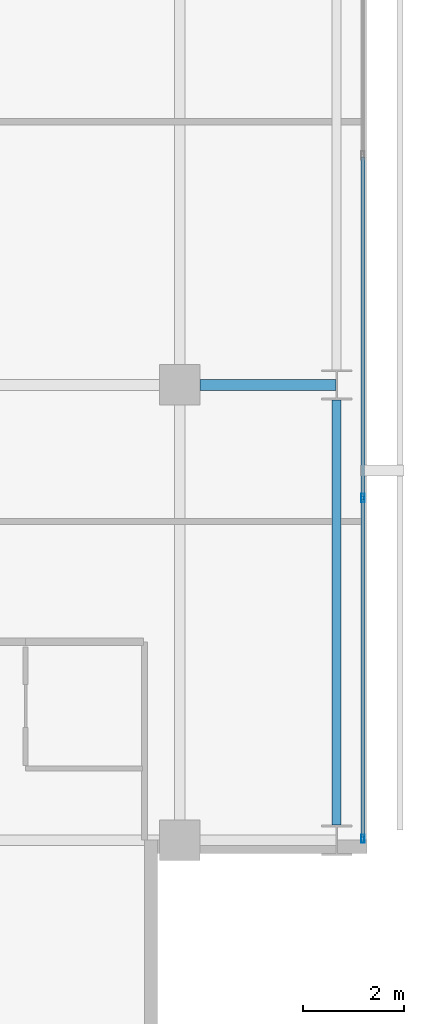
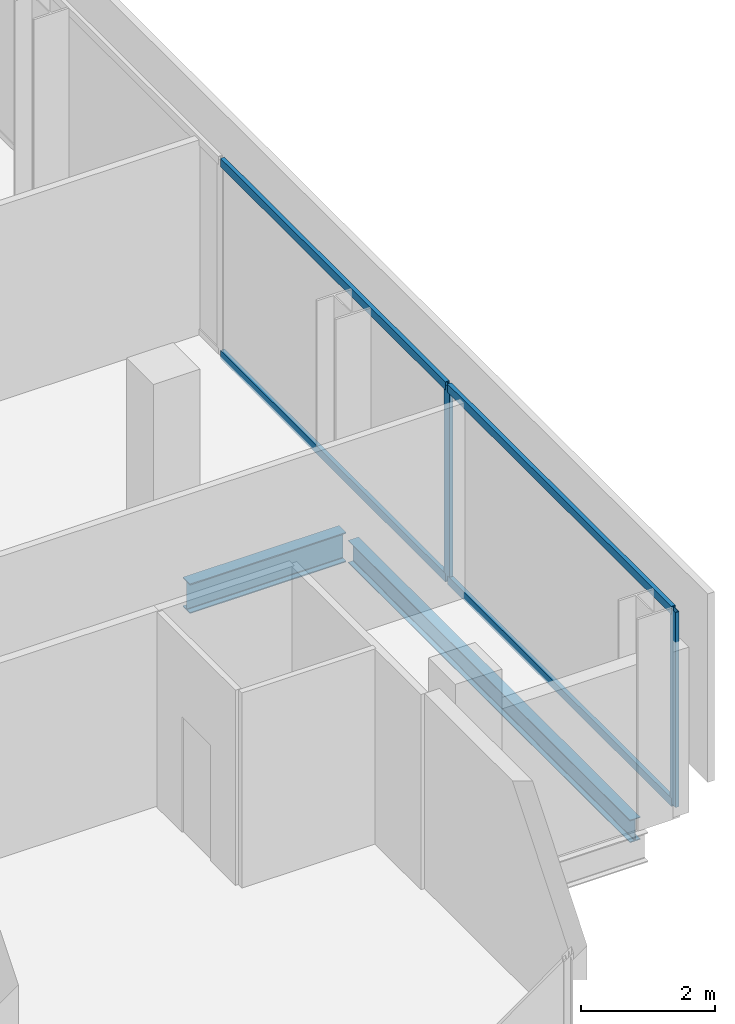
# One storey, part 15 of 32: 6 members, 2 beams, 1 element without a shape of its own.
"""IFC4 building model written with IfcOpenShell, lengths in metres."""

from ifc_helpers import new_model, si_unit, direction, frame, origin, origin_2d, place, context, subcontext, project, spatial, hollow_rectangle, i_section, extrude, material, layer, layer_set, material_profile, profile_set, type_object, element, aggregate, save


model = new_model("IFC4")

# Units and contexts
model_context = context("Model", 3, precision=1e-05, world=origin(), true_north=direction((0.0, 1.0)))
body_context = subcontext(model_context, "Body", "Model", "MODEL_VIEW")
ifc_project = project(units=[si_unit("LENGTHUNIT", "METRE"), si_unit("AREAUNIT", "SQUARE_METRE"), si_unit("VOLUMEUNIT", "CUBIC_METRE"), si_unit("PLANEANGLEUNIT", "RADIAN"), si_unit("MASSUNIT", "GRAM", prefix="KILO")], contexts=[model_context])

# Site, building, storey
site_placement = place(None, origin())
site = spatial("IfcSite", under=ifc_project, at=site_placement, CompositionType="ELEMENT")
building_placement = place(site_placement, origin())
building = spatial("IfcBuilding", under=site, at=building_placement, Name="Maruvema Waterfront Hotel and Observation Tower", CompositionType="ELEMENT")
storey_placement = place(building_placement, frame((0.0, 0.0, 223.64990234375)))
storey = spatial("IfcBuildingStorey", under=building, at=storey_placement, Name="L55", CompositionType="ELEMENT", Elevation=223.64990234375)

# Curtain wall, members
ifc_material_1 = material(Name="Anodised bronze aluminium and solar-control low-E IGU", Category="aluminium")
ifc_layer = layer(ifc_material_1, 0.159912109375, Name="Zone 2 Amber Inner Thermal Curtain Wall System CW-03")
ifc_layer_set = layer_set([ifc_layer], Name="Anodised bronze aluminium and solar-control low-E IGU")
curtain_wall_type = type_object("IfcCurtainWallType", Name="Zone 2 Amber Inner Thermal Curtain Wall System CW-03", PredefinedType="USERDEFINED", material=ifc_layer_set)
curtain_wall_placement = place(storey_placement, origin())
curtain_wall = element("IfcCurtainWall", 1, at=curtain_wall_placement, inside=storey, type_object=curtain_wall_type, Name="L55 Curtain Wall CW-L55-E", ObjectType="UNITISED CURTAIN WALL", PredefinedType="USERDEFINED")
ifc_material_2 = material(Name="Anodised architectural bronze aluminium", Category="aluminium")
ifc_material_profile_1 = material_profile(ifc_material_2, hollow_rectangle(XDim=0.070068359375, YDim=0.14990234375, WallThickness=0.00390625, at=origin_2d()), Name="ALU-T70x150")
ifc_profile_set_1 = profile_set([ifc_material_profile_1], Name="Anodised architectural bronze aluminium")
member_type_1 = type_object("IfcMemberType", Name="Curtain Wall Horizontal Transom ALU-T70x150", PredefinedType="USERDEFINED", material=ifc_profile_set_1)
member_1_placement = place(storey_placement, frame((62.419921875, 9.06005859375, 0.030029296875), z_axis=(0.0, 1.0, 0.0), x_axis=(-1.0, 0.0, 0.0)))
member_1 = element("IfcMember", 2, at=member_1_placement, type_object=member_type_1, Name="CW-03 transom 1.1", ObjectType="TRANSOM", PredefinedType="USERDEFINED", context=body_context, shape_type="SweptSolid", body=[
    extrude(hollow_rectangle(XDim=0.070068359375, YDim=0.14990234375, WallThickness=0.00390625, at=origin_2d()), origin(), (0.0, 0.0, 1.0), 6.676513671875),
])
member_2_placement = place(storey_placement, frame((62.419921875, 9.06005859375, 3.52001953125), z_axis=(0.0, 1.0, 0.0), x_axis=(-1.0, 0.0, 0.0)))
member_2 = element("IfcMember", 3, at=member_2_placement, type_object=member_type_1, Name="CW-03 transom 1.2", ObjectType="TRANSOM", PredefinedType="USERDEFINED", context=body_context, shape_type="SweptSolid", body=[
    extrude(hollow_rectangle(XDim=0.070068359375, YDim=0.14990234375, WallThickness=0.00390625, at=origin_2d()), origin(), (0.0, 0.0, 1.0), 6.676513671875),
])
member_3_placement = place(storey_placement, frame((62.419921875, 15.796630859375, 0.030029296875), z_axis=(0.0, 1.0, 0.0), x_axis=(-1.0, 0.0, 0.0)))
member_3 = element("IfcMember", 4, at=member_3_placement, type_object=member_type_1, Name="CW-03 transom 2.1", ObjectType="TRANSOM", PredefinedType="USERDEFINED", context=body_context, shape_type="SweptSolid", body=[
    extrude(hollow_rectangle(XDim=0.070068359375, YDim=0.14990234375, WallThickness=0.00390625, at=origin_2d()), origin(), (0.0, 0.0, 1.0), 6.706787109375),
])
member_4_placement = place(storey_placement, frame((62.419921875, 15.796630859375, 3.52001953125), z_axis=(0.0, 1.0, 0.0), x_axis=(-1.0, 0.0, 0.0)))
member_4 = element("IfcMember", 5, at=member_4_placement, type_object=member_type_1, Name="CW-03 transom 2.2", ObjectType="TRANSOM", PredefinedType="USERDEFINED", context=body_context, shape_type="SweptSolid", body=[
    extrude(hollow_rectangle(XDim=0.070068359375, YDim=0.14990234375, WallThickness=0.00390625, at=origin_2d()), origin(), (0.0, 0.0, 1.0), 6.706787109375),
])
ifc_material_3 = material(Name="Anodised architectural bronze aluminium", Category="aluminium")
ifc_material_profile_2 = material_profile(ifc_material_3, hollow_rectangle(XDim=0.06494140625, YDim=0.1650390625, WallThickness=0.00390625, at=origin_2d()), Name="ALU-M65x165")
ifc_profile_set_2 = profile_set([ifc_material_profile_2], Name="Anodised architectural bronze aluminium")
member_type_2 = type_object("IfcMemberType", Name="Curtain Wall Primary Mullion ALU-M65x165", PredefinedType="MULLION", material=ifc_profile_set_2)
member_5_placement = place(storey_placement, frame((62.419921875, 9.030029296875, 0.0), z_axis=(0.0, 0.0, 1.0), x_axis=(-1.0, 0.0, 0.0)))
member_5 = element("IfcMember", 6, at=member_5_placement, type_object=member_type_2, Name="CW-03 mullion 1", PredefinedType="MULLION", context=body_context, shape_type="SweptSolid", body=[
    extrude(hollow_rectangle(XDim=0.06494140625, YDim=0.1650390625, WallThickness=0.00390625, at=origin_2d()), origin(), (0.0, 0.0, 1.0), 3.550048828125),
])
member_6_placement = place(storey_placement, frame((62.419921875, 15.7666015625, 0.0), z_axis=(0.0, 0.0, 1.0), x_axis=(-1.0, 0.0, 0.0)))
member_6 = element("IfcMember", 7, at=member_6_placement, type_object=member_type_2, Name="CW-03 mullion 2", PredefinedType="MULLION", context=body_context, shape_type="SweptSolid", body=[
    extrude(hollow_rectangle(XDim=0.06494140625, YDim=0.1650390625, WallThickness=0.00390625, at=origin_2d()), origin(), (0.0, 0.0, 1.0), 3.550048828125),
])
aggregate(curtain_wall, [member_5, member_6, member_1, member_2, member_3, member_4])

# Beams
ifc_material_4 = material(Name="Steel ASTM A572 Grade 50", Category="steel")
ifc_material_profile_3 = material_profile(ifc_material_4, i_section(OverallWidth=0.178955078125, OverallDepth=0.409912109375, WebThickness=0.0087890625, FlangeThickness=0.014404296875, FilletRadius=0.014892578125, at=origin_2d()), Name="W410x67.0")
ifc_profile_set_3 = profile_set([ifc_material_profile_3], Name="Steel ASTM A572 Grade 50")
beam_type_1 = type_object("IfcBeamType", Name="Perimeter Spandrel Beam W410x67.0", PredefinedType="SPANDREL", material=ifc_profile_set_3)
beam_1_placement = place(storey_placement, frame((61.89990234375, 9.300048828125, -0.44482421875), z_axis=(0.0, 1.0, 0.0), x_axis=(-1.0, 0.0, 0.0)))
element("IfcBeam", 8, at=beam_1_placement, inside=storey, type_object=beam_type_1, Name="L55 Floor Girder NS-29", PredefinedType="SPANDREL", context=body_context, shape_type="SweptSolid", body=[
    extrude(i_section(OverallWidth=0.178955078125, OverallDepth=0.409912109375, WebThickness=0.0087890625, FlangeThickness=0.014404296875, FilletRadius=0.014892578125, at=origin_2d()), origin(), (0.0, 0.0, 1.0), 8.39990234375),
])
ifc_material_5 = material(Name="Steel ASTM A572 Grade 50", Category="steel")
ifc_material_profile_4 = material_profile(ifc_material_5, i_section(OverallWidth=0.2109375, OverallDepth=0.5390625, WebThickness=0.01171875, FlangeThickness=0.018798828125, FilletRadius=0.014892578125, at=origin_2d()), Name="W530x109.0")
ifc_profile_set_4 = profile_set([ifc_material_profile_4], Name="Steel ASTM A572 Grade 50")
beam_type_2 = type_object("IfcBeamType", Name="Primary Floor Girder W530x109.0", PredefinedType="BEAM", material=ifc_profile_set_4)
beam_2_placement = place(storey_placement, frame((59.199951171875, 18.0, -0.509521484375), z_axis=(1.0, 0.0, 0.0), x_axis=(0.0, 1.0, 0.0)))
element("IfcBeam", 9, at=beam_2_placement, inside=storey, type_object=beam_type_2, Name="L55 Floor Girder EW-17", PredefinedType="BEAM", context=body_context, shape_type="SweptSolid", body=[
    extrude(i_section(OverallWidth=0.2109375, OverallDepth=0.5390625, WebThickness=0.01171875, FlangeThickness=0.018798828125, FilletRadius=0.014892578125, at=origin_2d()), origin(), (0.0, 0.0, 1.0), 2.6875),
])

save(model, "model.ifc")
